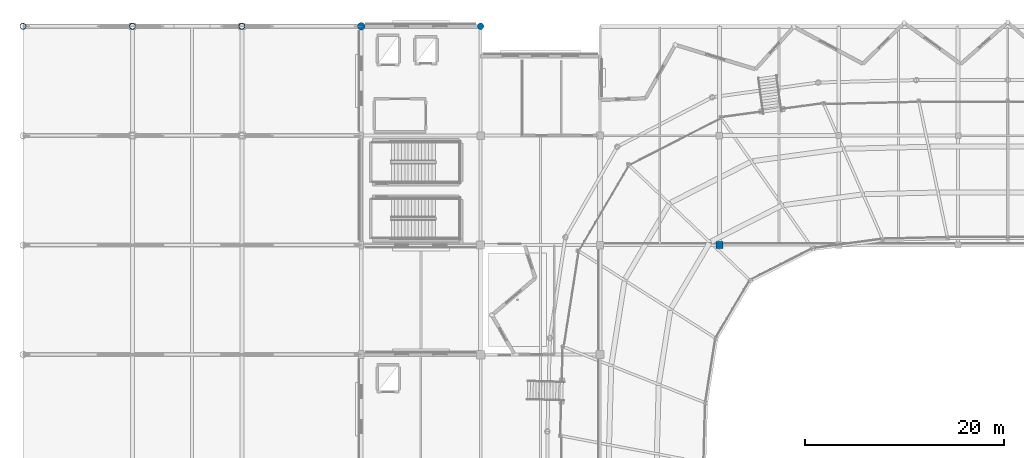
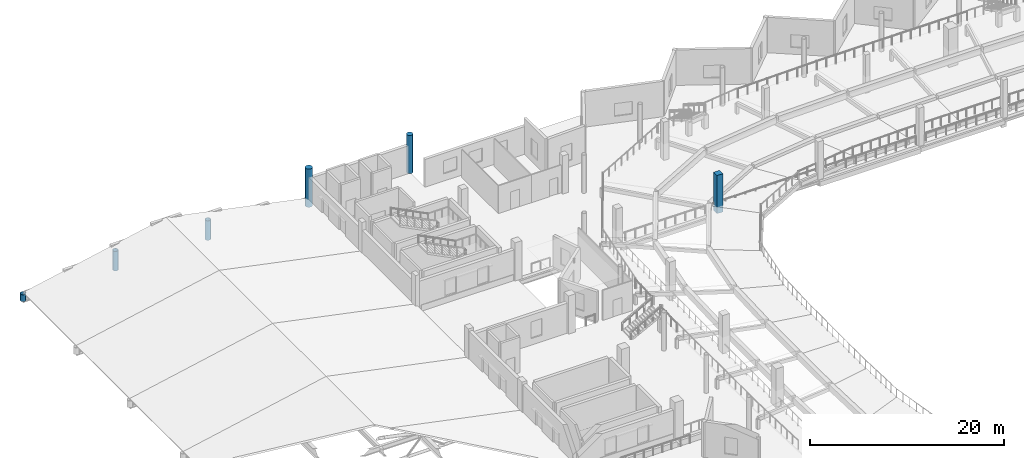
# One storey, part 9 of 77: 6 columns.
"""IFC4 building model written with IfcOpenShell, lengths in metres."""

import ifcopenshell
import ifcopenshell.guid

model = None  # the IFC model being written
_history = None  # IfcOwnerHistory: only IFC2X3 demands one
_inside = {}  # id of a spatial element -> (the spatial element, [elements in it])
_under = {}  # id of a project, library or spatial element -> (it, [spatial elements below it])
_declared = {}  # id of a project -> (the project, [libraries it declares])
_typed = {}  # id of a type object -> (the type object, [elements of that type])
_made_of = {}  # id of a material, layer set ... -> (it, [elements and type objects made of it])


def new_model(schema):
    """Start an empty IFC model of exactly this schema.

    Asked for "IFC4X3", IfcOpenShell would pick the latest addendum, in which some entities
    have other attributes; the version numbers below select the first issue.
    IFC2X3 requires an IfcOwnerHistory on every rooted entity: one is made here for all.
    """
    global model, _history
    if schema == "IFC4X3":
        model = ifcopenshell.file(schema_version=(4, 3, 0, 0))
    else:
        model = ifcopenshell.file(schema=schema)
    _inside.clear()
    _under.clear()
    _declared.clear()
    _typed.clear()
    _made_of.clear()
    _history = None
    if model.schema == "IFC2X3":
        org = make("IfcOrganization", Name="unknown")
        user = make(
            "IfcPersonAndOrganization",
            ThePerson=make("IfcPerson", FamilyName="unknown"),
            TheOrganization=org,
        )
        app = make(
            "IfcApplication",
            ApplicationDeveloper=org,
            Version="unknown",
            ApplicationFullName="unknown",
            ApplicationIdentifier="unknown",
        )
        _history = make(
            "IfcOwnerHistory",
            OwningUser=user,
            OwningApplication=app,
            ChangeAction="ADDED",
            CreationDate=0,
        )
    return model


def make(cls, **values):
    """One entity of the class cls with the attributes given. An attribute that is None is left unset."""
    return model.create_entity(
        cls, **{name: value for name, value in values.items() if value is not None}
    )


def rooted(cls, **values):
    """An entity with a GlobalId (a new one), such as an element, a storey or a relation."""
    return make(cls, GlobalId=ifcopenshell.guid.new(), OwnerHistory=_history, **values)


def si_unit(unit_type, name, prefix=None):
    """IfcSIUnit, for example si_unit("LENGTHUNIT", "METRE", prefix="MILLI")."""
    return make("IfcSIUnit", UnitType=unit_type, Prefix=prefix, Name=name)


def assignment(units):
    """IfcUnitAssignment: the units of a project."""
    return None if units is None else make("IfcUnitAssignment", Units=units)


def point(xyz):
    """IfcCartesianPoint."""
    return None if xyz is None else make("IfcCartesianPoint", Coordinates=xyz)


def direction(xyz):
    """IfcDirection."""
    return None if xyz is None else make("IfcDirection", DirectionRatios=xyz)


def frame(location, z_axis=None, x_axis=None):
    """IfcAxis2Placement3D, a coordinate frame: its origin and axes. An axis left out is left unset."""
    return make(
        "IfcAxis2Placement3D",
        Location=point(location),
        Axis=direction(z_axis),
        RefDirection=direction(x_axis),
    )


def frame_2d(location, x_axis=None):
    """IfcAxis2Placement2D, a coordinate frame in the plane: its origin and x axis."""
    return make(
        "IfcAxis2Placement2D", Location=point(location), RefDirection=direction(x_axis)
    )


def origin():
    """The frame at (0, 0, 0) with its axes left unset."""
    return frame((0.0, 0.0, 0.0))


def origin_2d():
    """The frame at (0, 0) in the plane with its x axis left unset."""
    return frame_2d((0.0, 0.0))


def place(relative_to, where):
    """IfcLocalPlacement: puts the frame where relative to a parent placement (None: the world)."""
    return make(
        "IfcLocalPlacement", PlacementRelTo=relative_to, RelativePlacement=where
    )


def context(
    kind, dimensions, precision=None, world=None, true_north=None, identifier=None
):
    """IfcGeometricRepresentationContext, for example the 3D "Model" context."""
    return make(
        "IfcGeometricRepresentationContext",
        ContextIdentifier=identifier,
        ContextType=kind,
        CoordinateSpaceDimension=dimensions,
        Precision=precision,
        WorldCoordinateSystem=world,
        TrueNorth=true_north,
    )


def subcontext(parent, identifier, kind, view, scale=None):
    """IfcGeometricRepresentationSubContext, for example "Body" below "Model"."""
    return make(
        "IfcGeometricRepresentationSubContext",
        ContextIdentifier=identifier,
        ContextType=kind,
        ParentContext=parent,
        TargetScale=scale,
        TargetView=view,
    )


def project(units=None, contexts=None):
    """IfcProject with its units and contexts."""
    return rooted(
        "IfcProject",
        Name="project",
        RepresentationContexts=contexts,
        UnitsInContext=assignment(units),
    )


def spatial(cls, under=None, at=None, **own):
    """A site, building, storey or space (cls), placed at a placement, below another one or the project."""
    s = rooted(cls, ObjectPlacement=at, **own)
    if under is not None:
        _under.setdefault(under.id(), (under, []))[1].append(s)
    return s


def profile(cls, at=None, kind="AREA", **sizes):
    """A parametric profile (cls). Its sizes go by their IFC names, for example OverallWidth=200.0."""
    return make(cls, ProfileType=kind, Position=at, **sizes)


def rectangle(**sizes):
    """IfcRectangleProfileDef."""
    return profile("IfcRectangleProfileDef", **sizes)


def circle(**sizes):
    """IfcCircleProfileDef."""
    return profile("IfcCircleProfileDef", **sizes)


def hollow_circle(**sizes):
    """IfcCircleHollowProfileDef."""
    return profile("IfcCircleHollowProfileDef", **sizes)


def extrude(swept, where, along, depth):
    """IfcExtrudedAreaSolid: the profile swept, set in the frame where, extruded along a direction by depth."""
    return make(
        "IfcExtrudedAreaSolid",
        SweptArea=swept,
        Position=where,
        ExtrudedDirection=direction(along),
        Depth=depth,
    )


def shape(context_of_items, identifier, shape_type, items):
    """IfcShapeRepresentation: the items that make up one representation, for example the "Body"."""
    return make(
        "IfcShapeRepresentation",
        ContextOfItems=context_of_items,
        RepresentationIdentifier=identifier,
        RepresentationType=shape_type,
        Items=items,
    )


def material(Name=None, Category=None):
    """IfcMaterial."""
    return make("IfcMaterial", Name=Name, Category=Category)


def material_profile(
    of_material, cross_section, Name=None, Category=None, Priority=None
):
    """IfcMaterialProfile: a cross section and its material."""
    return make(
        "IfcMaterialProfile",
        Name=Name,
        Material=of_material,
        Profile=cross_section,
        Priority=Priority,
        Category=Category,
    )


def profile_set(profiles, Name=None, composite=None):
    """IfcMaterialProfileSet."""
    return make(
        "IfcMaterialProfileSet",
        Name=Name,
        MaterialProfiles=profiles,
        CompositeProfile=composite,
    )


def made_of(thing, what):
    """Note that an element or type object is made of a material, layer set ...; save() writes the relation."""
    if what is not None:
        _made_of.setdefault(what.id(), (what, []))[1].append(thing)
    return thing


def type_object(cls, material=None, **own):
    """A type object (cls), such as IfcWallType, which elements share."""
    return made_of(rooted(cls, **own), material)


def element(
    cls,
    number,
    at=None,
    inside=None,
    cuts=None,
    type_object=None,
    material=None,
    context=None,
    identifier="Body",
    shape_type=None,
    held_by="IfcProductDefinitionShape",
    body=None,
    shapes=None,
    **own,
):
    """One element of the class cls, such as IfcWall. Its Tag is "e" and its number.

    at: its placement. inside: the storey or other place that contains it. cuts: it is an
    opening in that element (IfcRelVoidsElement). A single representation is given by context,
    identifier, shape_type and body (its items); several are given by shapes. held_by: the class
    of the entity that holds the representations. save() writes the other relations.
    """
    e = rooted(cls, Tag="e%d" % number, ObjectPlacement=at, **own)
    if body is not None:
        shapes = [shape(context, identifier, shape_type, body)]
    if shapes is not None:
        e.Representation = make(held_by, Representations=shapes)
    if inside is not None:
        _inside.setdefault(inside.id(), (inside, []))[1].append(e)
    if cuts is not None:
        rooted(
            "IfcRelVoidsElement", RelatingBuildingElement=cuts, RelatedOpeningElement=e
        )
    if type_object is not None:
        _typed.setdefault(type_object.id(), (type_object, []))[1].append(e)
    return made_of(e, material)


def aggregate(whole, parts):
    """IfcRelAggregates: a whole, such as a stair, and the parts it consists of."""
    return rooted("IfcRelAggregates", RelatingObject=whole, RelatedObjects=parts)


def save(model, path):
    """Write the relations noted so far, then the file.

    IfcRelAggregates (storeys below a building ...), IfcRelContainedInSpatialStructure (elements
    in a storey), IfcRelDefinesByType, IfcRelAssociatesMaterial and IfcRelDeclares: one each for
    every whole, place, type object, material and project.
    """
    for whole, parts in _under.values():
        aggregate(whole, parts)
    for where, things in _inside.values():
        rooted(
            "IfcRelContainedInSpatialStructure",
            RelatedElements=things,
            RelatingStructure=where,
        )
    for kind, things in _typed.values():
        rooted("IfcRelDefinesByType", RelatedObjects=things, RelatingType=kind)
    for what, things in _made_of.values():
        rooted("IfcRelAssociatesMaterial", RelatedObjects=things, RelatingMaterial=what)
    for by, libraries in _declared.values():
        rooted("IfcRelDeclares", RelatingContext=by, RelatedDefinitions=libraries)
    model.write(path)


model = new_model("IFC4")

# Units and contexts
model_context = context("Model", 3, precision=1e-05, world=origin(), true_north=direction((0.0, 1.0)))
body_context = subcontext(model_context, "Body", "Model", "MODEL_VIEW")
ifc_project = project(units=[si_unit("LENGTHUNIT", "METRE"), si_unit("AREAUNIT", "SQUARE_METRE"), si_unit("VOLUMEUNIT", "CUBIC_METRE"), si_unit("PLANEANGLEUNIT", "RADIAN"), si_unit("MASSUNIT", "GRAM", prefix="KILO")], contexts=[model_context])

# Site, building, storey
site_placement = place(None, origin())
site = spatial("IfcSite", under=ifc_project, at=site_placement, CompositionType="ELEMENT")
building_placement = place(site_placement, origin())
building = spatial("IfcBuilding", under=site, at=building_placement, Name="Luwafu Chhajja Arena", CompositionType="ELEMENT")
storey_placement = place(building_placement, frame((0.0, 0.0, 14.699951171875)))
storey = spatial("IfcBuildingStorey", under=building, at=storey_placement, Name="L03", CompositionType="ELEMENT", Elevation=14.699951171875)

# Columns
ifc_material_1 = material(Name="Concrete C35/45", Category="concrete")
ifc_material_profile_1 = material_profile(ifc_material_1, circle(Radius=0.375, at=origin_2d()), Name="RC COL D750")
ifc_profile_set_1 = profile_set([ifc_material_profile_1], Name="Concrete C35/45")
column_type_1 = type_object("IfcColumnType", Name="Charbagh Cloister Pier D750", PredefinedType="COLUMN", material=ifc_profile_set_1)
column_1_placement = place(storey_placement, frame((34.0, 99.0, 0.0), z_axis=(0.0, 0.0, 1.0), x_axis=(1.0, 0.0, 0.0)))
element("IfcColumn", 1, at=column_1_placement, inside=storey, type_object=column_type_1, Name="L03 Grid Column 4/K", PredefinedType="COLUMN", context=body_context, shape_type="SweptSolid", body=[
    extrude(circle(Radius=0.375, at=origin_2d()), origin(), (0.0, 0.0, 1.0), 4.800048828125),
])
ifc_material_profile_2 = material_profile(ifc_material_1, circle(Radius=0.324951171875, at=origin_2d()), Name="RC COL D650")
ifc_profile_set_2 = profile_set([ifc_material_profile_2], Name="Concrete C35/45")
column_type_2 = type_object("IfcColumnType", Name="Courtyard Arcade Pier D650", PredefinedType="COLUMN", material=ifc_profile_set_2)
column_2_placement = place(storey_placement, frame((46.0, 99.0, 0.0), z_axis=(0.0, 0.0, 1.0), x_axis=(1.0, 0.0, 0.0)))
element("IfcColumn", 2, at=column_2_placement, inside=storey, type_object=column_type_2, Name="L03 Grid Column 5/K", PredefinedType="COLUMN", context=body_context, shape_type="SweptSolid", body=[
    extrude(circle(Radius=0.324951171875, at=origin_2d()), origin(), (0.0, 0.0, 1.0), 4.800048828125),
])
ifc_material_2 = material(Name="Steel S355", Category="steel")
ifc_material_profile_3 = material_profile(ifc_material_2, hollow_circle(Radius=0.304931640625, WallThickness=0.02490234375, at=origin_2d()), Name="CHS 610x25")
ifc_profile_set_3 = profile_set([ifc_material_profile_3], Name="Steel S355")
column_type_3 = type_object("IfcColumnType", Name="Steel Bowl Drum Column CHS 610", PredefinedType="COLUMN", material=ifc_profile_set_3)
column_3_placement = place(storey_placement, frame((0.0, 99.0, 0.0), z_axis=(0.0, 0.0, 1.0), x_axis=(1.0, 0.0, 0.0)))
element("IfcColumn", 3, at=column_3_placement, inside=storey, type_object=column_type_3, Name="Warm-Up Truss 06 West Pedestal", PredefinedType="COLUMN", context=body_context, shape_type="SweptSolid", body=[
    extrude(hollow_circle(Radius=0.304931640625, WallThickness=0.02490234375, at=origin_2d()), origin(), (0.0, 0.0, 1.0), 0.85009765625),
])
for number, where, z_axis, x_axis, name in (
    (4, (11.0, 99.0, 0.0), (0.0, 0.0, 1.0), (1.0, 0.0, 0.0), "Warm-Up Gable Spine Column 2/K"),
    (5, (22.0, 99.0, 0.0), (0.0, 0.0, 1.0), (1.0, 0.0, 0.0), "Warm-Up Gable Spine Column 3/K"),
):
    element("IfcColumn", number, at=place(storey_placement, frame(where, z_axis=z_axis, x_axis=x_axis)), inside=storey, type_object=column_type_3, Name=name, PredefinedType="COLUMN", context=body_context, shape_type="SweptSolid", body=[
        extrude(hollow_circle(Radius=0.304931640625, WallThickness=0.02490234375, at=origin_2d()), origin(), (0.0, 0.0, 1.0), 2.449951171875),
    ])
ifc_material_profile_4 = material_profile(ifc_material_1, rectangle(XDim=0.699951171875, YDim=0.699951171875, at=origin_2d()), Name="RC 700x700")
ifc_profile_set_4 = profile_set([ifc_material_profile_4], Name="Concrete C35/45")
column_type_4 = type_object("IfcColumnType", Name="Wing Frame Column RC 700", PredefinedType="COLUMN", material=ifc_profile_set_4)
column_4_placement = place(storey_placement, frame((70.0, 77.0, 0.0), z_axis=(0.0, 0.0, 1.0), x_axis=(1.0, 0.0, 0.0)))
element("IfcColumn", 6, at=column_4_placement, inside=storey, type_object=column_type_4, Name="L03 Grid Column 7/H", PredefinedType="COLUMN", context=body_context, shape_type="SweptSolid", body=[
    extrude(rectangle(XDim=0.699951171875, YDim=0.699951171875, at=origin_2d()), origin(), (0.0, 0.0, 1.0), 4.800048828125),
])

save(model, "model.ifc")
